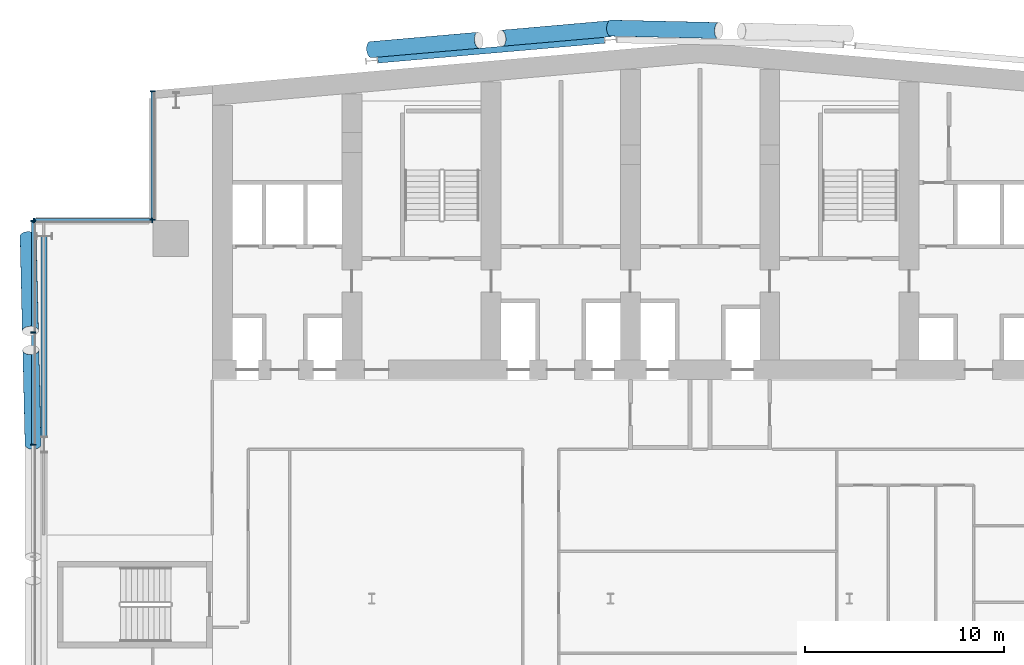
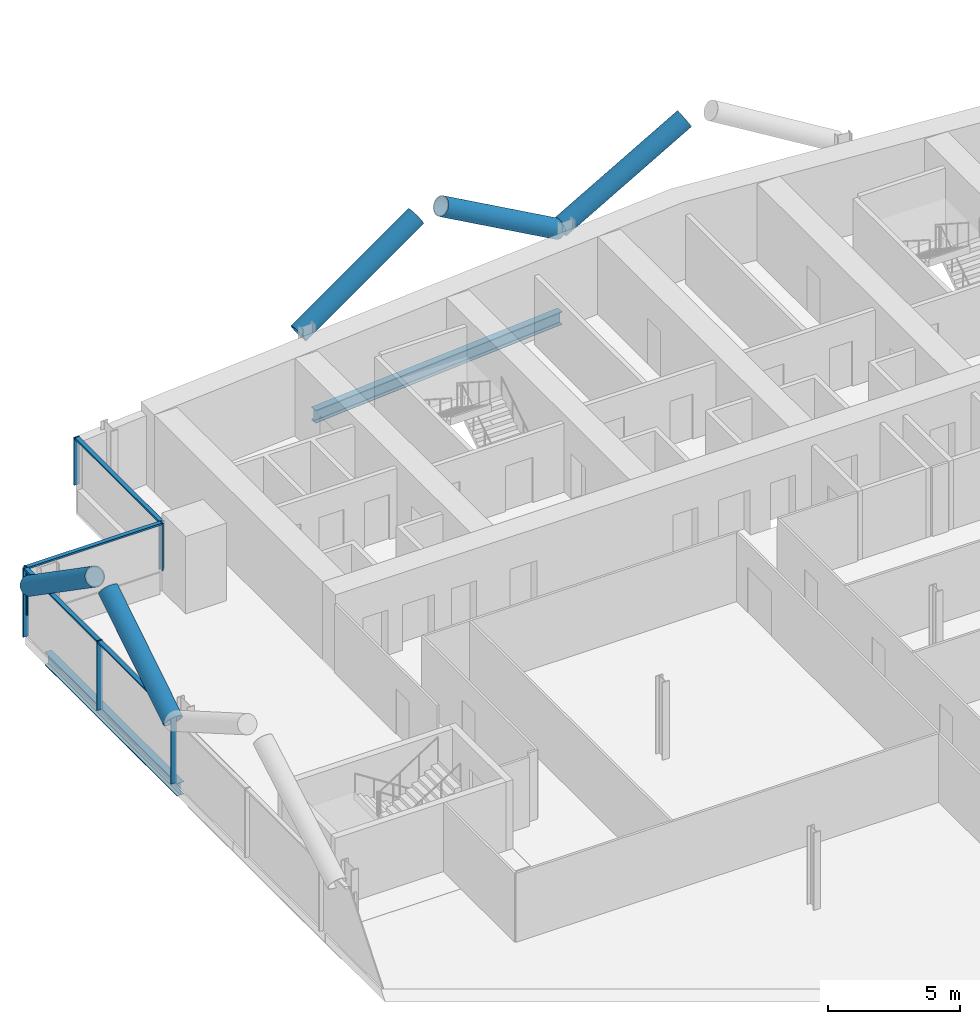
# One storey, part 8 of 26: 16 members, 2 beams, 3 elements without a shape of their own.
"""IFC4 building model written with IfcOpenShell, lengths in metres."""

from ifc_helpers import new_model, si_unit, direction, frame, origin, origin_2d, place, context, subcontext, project, spatial, rectangle, hollow_circle, i_section, extrude, material, material_profile, profile_set, type_object, element, aggregate, save


model = new_model("IFC4")

# Units and contexts
model_context = context("Model", 3, precision=1e-05, world=origin(), true_north=direction((0.0, 1.0)))
body_context = subcontext(model_context, "Body", "Model", "MODEL_VIEW")
ifc_project = project(units=[si_unit("LENGTHUNIT", "METRE"), si_unit("AREAUNIT", "SQUARE_METRE"), si_unit("VOLUMEUNIT", "CUBIC_METRE"), si_unit("PLANEANGLEUNIT", "RADIAN"), si_unit("MASSUNIT", "GRAM", prefix="KILO")], contexts=[model_context])

# Site, building, storey
site_placement = place(None, origin())
site = spatial("IfcSite", under=ifc_project, at=site_placement, CompositionType="ELEMENT")
building_placement = place(site_placement, origin())
building = spatial("IfcBuilding", under=site, at=building_placement, Name="Wharfspan Tower", CompositionType="ELEMENT")
storey_placement = place(building_placement, frame((0.0, 0.0, 114.699951)))
storey = spatial("IfcBuildingStorey", under=building, at=storey_placement, Name="L26", CompositionType="ELEMENT", Elevation=114.699951)

# Beams
ifc_material_1 = material(Name="Steel S355J2", Category="steel")
ifc_material_profile_1 = material_profile(ifc_material_1, i_section(OverallWidth=0.300049, OverallDepth=0.600098, WebThickness=0.015381, FlangeThickness=0.030029, FilletRadius=0.0271, at=origin_2d()))
ifc_profile_set_1 = profile_set([ifc_material_profile_1], Name="Steel S355J2")
beam_type = type_object("IfcBeamType", Name="Edge beam HEB 600", PredefinedType="SPANDREL", material=ifc_profile_set_1)
beam_1_placement = place(storey_placement, frame((35.695068, 51.050537, -0.699951), z_axis=(-0.996194, -0.087162, 0.0), x_axis=(0.087162, -0.996194, 0.0)))
element("IfcBeam", 1, at=beam_1_placement, inside=storey, type_object=beam_type, Name="Edge beam N1 L26 R.2 to R.1", PredefinedType="SPANDREL", context=body_context, shape_type="SweptSolid", body=[
    extrude(i_section(OverallWidth=0.300049, OverallDepth=0.600098, WebThickness=0.015381, FlangeThickness=0.030029, FilletRadius=0.0271, at=origin_2d()), origin(), (0.0, 0.0, 1.0), 11.433594),
])
beam_2_placement = place(storey_placement, frame((7.544434, 41.201416, -0.699951), z_axis=(-0.000412, -1.0, 0.0), x_axis=(1.0, -0.000412, 0.0)))
element("IfcBeam", 2, at=beam_2_placement, inside=storey, type_object=beam_type, Name="Edge beam W L26 PNRW-H.1 to PW.1", PredefinedType="SPANDREL", context=body_context, shape_type="SweptSolid", body=[
    extrude(i_section(OverallWidth=0.300049, OverallDepth=0.600098, WebThickness=0.015381, FlangeThickness=0.030029, FilletRadius=0.0271, at=origin_2d()), origin(), (0.0, 0.0, 1.0), 10.065186),
])

# Curtain wall, members
ifc_material_2 = material(Name="Aluminium 6063-T6", Category="aluminium")
curtain_wall_type = type_object("IfcCurtainWallType", Name="CURTAIN WALL PROW AND END", PredefinedType="NOTDEFINED", material=ifc_material_2)
curtain_wall_1_placement = place(storey_placement, origin())
curtain_wall_1 = element("IfcCurtainWall", 3, at=curtain_wall_1_placement, inside=storey, type_object=curtain_wall_type, Name="Curtain wall NRW-V", PredefinedType="NOTDEFINED")
ifc_material_profile_2 = material_profile(ifc_material_2, rectangle(XDim=0.23999, YDim=0.060059, at=origin_2d()))
ifc_profile_set_2 = profile_set([ifc_material_profile_2], Name="Aluminium 6063-T6")
member_type_1 = type_object("IfcMemberType", Name="MULLION PROW AND END 60x240", PredefinedType="MULLION", material=ifc_profile_set_2)
member_1_placement = place(storey_placement, frame((13.0, 48.494873, 1.0), z_axis=(0.0, 0.0, 1.0), x_axis=(1.0, 0.0, 0.0)))
member_1 = element("IfcMember", 4, at=member_1_placement, type_object=member_type_1, Name="Curtain wall NRW-V mullion 1", PredefinedType="MULLION", context=body_context, shape_type="SweptSolid", body=[
    extrude(rectangle(XDim=0.23999, YDim=0.060059, at=origin_2d()), origin(), (0.0, 0.0, 1.0), 2.199951),
])
member_2_placement = place(storey_placement, frame((13.0, 42.030029, 1.0), z_axis=(0.0, 0.0, 1.0), x_axis=(1.0, 0.0, 0.0)))
member_2 = element("IfcMember", 5, at=member_2_placement, type_object=member_type_1, Name="Curtain wall NRW-V mullion 2", PredefinedType="MULLION", context=body_context, shape_type="SweptSolid", body=[
    extrude(rectangle(XDim=0.23999, YDim=0.060059, at=origin_2d()), origin(), (0.0, 0.0, 1.0), 2.199951),
])

curtain_wall_2_placement = place(storey_placement, origin())
curtain_wall_2 = element("IfcCurtainWall", 6, at=curtain_wall_2_placement, inside=storey, type_object=curtain_wall_type, Name="Curtain wall NRW-H", PredefinedType="NOTDEFINED")
member_3_placement = place(storey_placement, frame((12.969971, 42.0, 1.0), z_axis=(0.0, 0.0, 1.0), x_axis=(0.0, -1.0, 0.0)))
member_3 = element("IfcMember", 7, at=member_3_placement, type_object=member_type_1, Name="Curtain wall NRW-H mullion 1", PredefinedType="MULLION", context=body_context, shape_type="SweptSolid", body=[
    extrude(rectangle(XDim=0.23999, YDim=0.060059, at=origin_2d()), origin(), (0.0, 0.0, 1.0), 2.199951),
])
member_4_placement = place(storey_placement, frame((7.030029, 42.0, 1.0), z_axis=(0.0, 0.0, 1.0), x_axis=(0.0, -1.0, 0.0)))
member_4 = element("IfcMember", 8, at=member_4_placement, type_object=member_type_1, Name="Curtain wall NRW-H mullion 2", PredefinedType="MULLION", context=body_context, shape_type="SweptSolid", body=[
    extrude(rectangle(XDim=0.23999, YDim=0.060059, at=origin_2d()), origin(), (0.0, 0.0, 1.0), 2.199951),
])

curtain_wall_3_placement = place(storey_placement, origin())
curtain_wall_3 = element("IfcCurtainWall", 9, at=curtain_wall_3_placement, inside=storey, type_object=curtain_wall_type, Name="Curtain wall W", PredefinedType="NOTDEFINED")
member_5_placement = place(storey_placement, frame((7.0, 41.969971, 0.0), z_axis=(0.0, 0.0, 1.0), x_axis=(1.0, 0.0, 0.0)))
member_5 = element("IfcMember", 10, at=member_5_placement, type_object=member_type_1, Name="Curtain wall W mullion 1", PredefinedType="MULLION", context=body_context, shape_type="SweptSolid", body=[
    extrude(rectangle(XDim=0.23999, YDim=0.060059, at=origin_2d()), origin(), (0.0, 0.0, 1.0), 3.199951),
])
member_6_placement = place(storey_placement, frame((7.0, 36.366699, 0.0), z_axis=(0.0, 0.0, 1.0), x_axis=(1.0, 0.0, 0.0)))
member_6 = element("IfcMember", 11, at=member_6_placement, type_object=member_type_1, Name="Curtain wall W mullion 2", PredefinedType="MULLION", context=body_context, shape_type="SweptSolid", body=[
    extrude(rectangle(XDim=0.23999, YDim=0.060059, at=origin_2d()), origin(), (0.0, 0.0, 1.0), 3.199951),
])
member_7_placement = place(storey_placement, frame((7.0, 30.733398, 0.0), z_axis=(0.0, 0.0, 1.0), x_axis=(1.0, 0.0, 0.0)))
member_7 = element("IfcMember", 12, at=member_7_placement, type_object=member_type_1, Name="Curtain wall W mullion 3", PredefinedType="MULLION", context=body_context, shape_type="SweptSolid", body=[
    extrude(rectangle(XDim=0.23999, YDim=0.060059, at=origin_2d()), origin(), (0.0, 0.0, 1.0), 3.199951),
])

# Members
ifc_material_3 = material(Name="Steel S460NH", Category="steel")
ifc_material_profile_3 = material_profile(ifc_material_3, hollow_circle(Radius=0.406494, WallThickness=0.040039, at=origin_2d()))
ifc_profile_set_3 = profile_set([ifc_material_profile_3], Name="Steel S460NH")
member_type_2 = type_object("IfcMemberType", Name="Mega brace CHS 813x40", PredefinedType="BRACE", material=ifc_profile_set_3)
member_8_placement = place(storey_placement, frame((6.734131, 41.208008, 2.900146), z_axis=(0.019723, -0.823946, 0.566325), x_axis=(0.999713, 0.023929, -2e-06)))
element("IfcMember", 13, at=member_8_placement, inside=storey, type_object=member_type_2, Name="Mega brace W4 L27 part 1", PredefinedType="BRACE", context=body_context, shape_type="SweptSolid", body=[
    extrude(hollow_circle(Radius=0.406494, WallThickness=0.040039, at=origin_2d()), origin(), (0.0, 0.0, 1.0), 5.768555),
])
member_9_placement = place(storey_placement, frame((6.985107, 30.733398, 2.900146), z_axis=(-0.019766, 0.823932, 0.566344), x_axis=(-0.999712, -0.023985, 3e-06)))
element("IfcMember", 14, at=member_9_placement, inside=storey, type_object=member_type_2, Name="Mega brace W4 L27 part 3", PredefinedType="BRACE", context=body_context, shape_type="SweptSolid", body=[
    extrude(hollow_circle(Radius=0.406494, WallThickness=0.040039, at=origin_2d()), origin(), (0.0, 0.0, 1.0), 5.768311),
])
member_10_placement = place(storey_placement, frame((36.012939, 51.665771, 2.900146), z_axis=(0.857317, -0.019649, 0.514413), x_axis=(0.022912, 0.999739, 2e-06)))
element("IfcMember", 15, at=member_10_placement, inside=storey, type_object=member_type_2, Name="Mega brace N7 L27 part 1", PredefinedType="BRACE", context=body_context, shape_type="SweptSolid", body=[
    extrude(hollow_circle(Radius=0.406494, WallThickness=0.040039, at=origin_2d()), origin(), (0.0, 0.0, 1.0), 6.324463),
])
member_11_placement = place(storey_placement, frame((23.95166, 50.581299, 2.900146), z_axis=(0.855096, 0.074778, 0.51305), x_axis=(-0.087117, 0.996194, 0.0)))
element("IfcMember", 16, at=member_11_placement, inside=storey, type_object=member_type_2, Name="Mega brace N8 L27 part 1", PredefinedType="BRACE", context=body_context, shape_type="SweptSolid", body=[
    extrude(hollow_circle(Radius=0.406494, WallThickness=0.040039, at=origin_2d()), origin(), (0.0, 0.0, 1.0), 6.340332),
])
member_12_placement = place(storey_placement, frame((35.95166, 51.631104, 2.900146), z_axis=(-0.855103, -0.074814, 0.513031), x_axis=(0.087159, -0.996196, 1e-06)))
element("IfcMember", 17, at=member_12_placement, inside=storey, type_object=member_type_2, Name="Mega brace N8 L27 part 3", PredefinedType="BRACE", context=body_context, shape_type="SweptSolid", body=[
    extrude(hollow_circle(Radius=0.406494, WallThickness=0.040039, at=origin_2d()), origin(), (0.0, 0.0, 1.0), 6.340576),
])

# Member
ifc_material_profile_4 = material_profile(ifc_material_2, rectangle(XDim=0.179932, YDim=0.080078, at=origin_2d()))
ifc_profile_set_4 = profile_set([ifc_material_profile_4], Name="Aluminium 6063-T6")
member_type_3 = type_object("IfcMemberType", Name="TRANSOM PROW AND END 80x180", PredefinedType="USERDEFINED", material=ifc_profile_set_4)
member_13_placement = place(storey_placement, frame((13.0, 48.464844, 3.160156), z_axis=(0.0, -1.0, 0.0), x_axis=(1.0, 0.0, 0.0)))
member_13 = element("IfcMember", 18, at=member_13_placement, type_object=member_type_3, Name="Curtain wall NRW-V transom 1", ObjectType="TRANSOM", PredefinedType="USERDEFINED", context=body_context, shape_type="SweptSolid", body=[
    extrude(rectangle(XDim=0.179932, YDim=0.080078, at=origin_2d()), origin(), (0.0, 0.0, 1.0), 6.404785),
])

aggregate(curtain_wall_1, [member_1, member_2, member_13])

member_14_placement = place(storey_placement, frame((12.939941, 42.0, 3.160156), z_axis=(-1.0, 0.0, 0.0), x_axis=(0.0, -1.0, 0.0)))
member_14 = element("IfcMember", 19, at=member_14_placement, type_object=member_type_3, Name="Curtain wall NRW-H transom 1", ObjectType="TRANSOM", PredefinedType="USERDEFINED", context=body_context, shape_type="SweptSolid", body=[
    extrude(rectangle(XDim=0.179932, YDim=0.080078, at=origin_2d()), origin(), (0.0, 0.0, 1.0), 5.879883),
])

aggregate(curtain_wall_2, [member_3, member_4, member_14])

member_15_placement = place(storey_placement, frame((7.0, 41.939941, 3.160156), z_axis=(0.0, -1.0, 0.0), x_axis=(1.0, 0.0, 0.0)))
member_15 = element("IfcMember", 20, at=member_15_placement, type_object=member_type_3, Name="Curtain wall W transom 1", ObjectType="TRANSOM", PredefinedType="USERDEFINED", context=body_context, shape_type="SweptSolid", body=[
    extrude(rectangle(XDim=0.179932, YDim=0.080078, at=origin_2d()), origin(), (0.0, 0.0, 1.0), 5.543213),
])

member_16_placement = place(storey_placement, frame((7.0, 36.33667, 3.160156), z_axis=(0.0, -1.0, 0.0), x_axis=(1.0, 0.0, 0.0)))
member_16 = element("IfcMember", 21, at=member_16_placement, type_object=member_type_3, Name="Curtain wall W transom 2", ObjectType="TRANSOM", PredefinedType="USERDEFINED", context=body_context, shape_type="SweptSolid", body=[
    extrude(rectangle(XDim=0.179932, YDim=0.080078, at=origin_2d()), origin(), (0.0, 0.0, 1.0), 5.573242),
])

aggregate(curtain_wall_3, [member_5, member_6, member_7, member_15, member_16])

save(model, "model.ifc")
